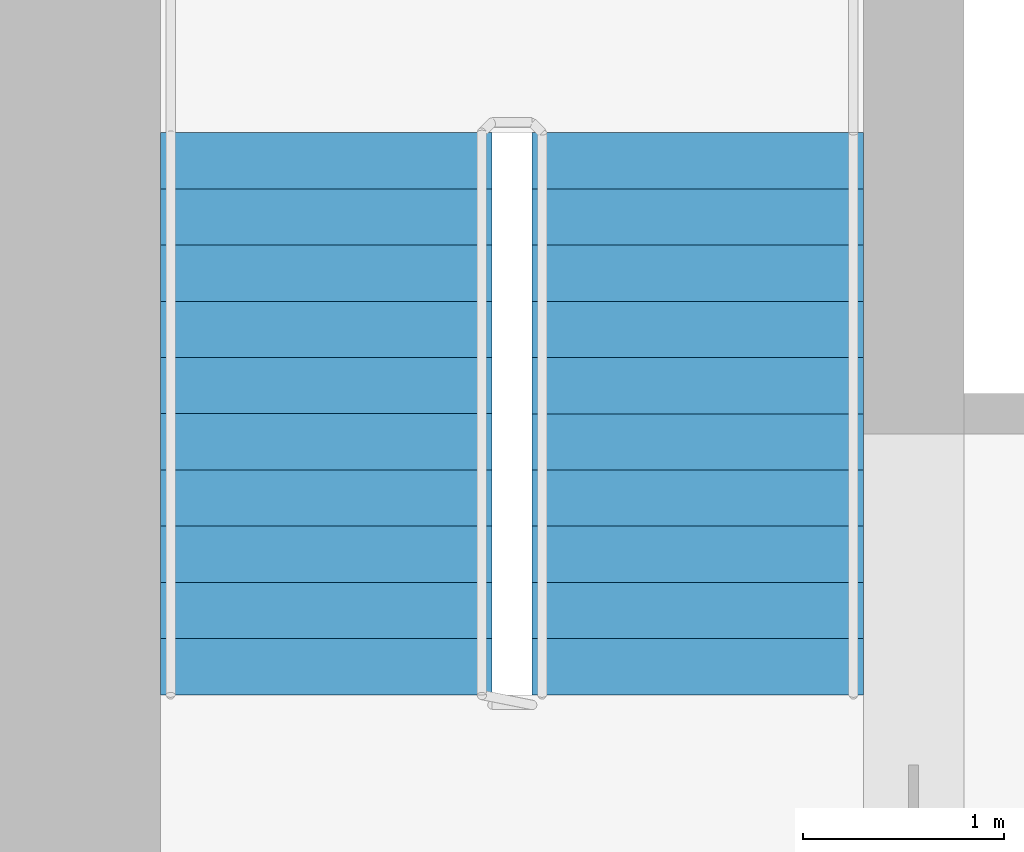
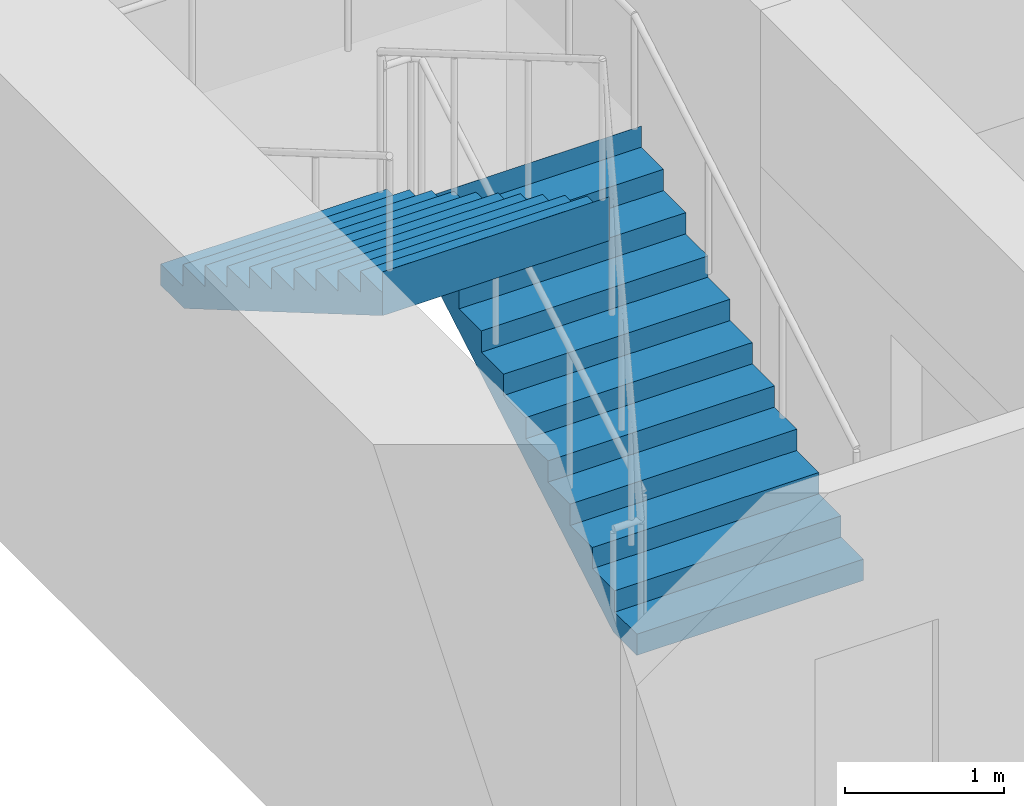
# One storey, part 13 of 14: 2 stair flights, 1 element without a shape of its own.
"""IFC4 building model written with IfcOpenShell, lengths in metres."""

from ifc_helpers import new_model, si_unit, direction, frame, origin, place, context, subcontext, project, spatial, polyline, outline, extrude, material, type_object, element, aggregate, save


model = new_model("IFC4")

# Units and contexts
model_context = context("Model", 3, precision=1e-05, world=origin(), true_north=direction((0.0, 1.0)))
body_context = subcontext(model_context, "Body", "Model", "MODEL_VIEW")
ifc_project = project(units=[si_unit("LENGTHUNIT", "METRE"), si_unit("AREAUNIT", "SQUARE_METRE"), si_unit("VOLUMEUNIT", "CUBIC_METRE"), si_unit("PLANEANGLEUNIT", "RADIAN"), si_unit("MASSUNIT", "GRAM", prefix="KILO")], contexts=[model_context])

# Site, building, storey
site_placement = place(None, origin())
site = spatial("IfcSite", under=ifc_project, at=site_placement, CompositionType="ELEMENT")
building_placement = place(site_placement, origin())
building = spatial("IfcBuilding", under=site, at=building_placement, Name="Tamorin Gate", CompositionType="ELEMENT")
storey_placement = place(building_placement, frame((0.0, 0.0, 93.5)))
storey = spatial("IfcBuildingStorey", under=building, at=storey_placement, Name="L22", CompositionType="ELEMENT", Elevation=93.5)

# Stair, stair flights
ifc_material = material(Name="Concrete C40/50", Category="concrete")
stair_type = type_object("IfcStairType", Name="Exit stair", PredefinedType="HALF_TURN_STAIR", material=ifc_material)
stair_placement = place(storey_placement, origin())
stair = element("IfcStair", 1, at=stair_placement, inside=storey, type_object=stair_type, Name="L22 stair ST2", PredefinedType="HALF_TURN_STAIR")
stair_flight_type = type_object("IfcStairFlightType", Name="Exit stair flight", PredefinedType="STRAIGHT", material=ifc_material)
stair_flight_1_placement = place(storey_placement, frame((33.675048828125, 77.0, 0.0), z_axis=(0.0, 0.0, 1.0), x_axis=(0.0, 1.0, 0.0)))
stair_flight_1 = element("IfcStairFlight", 2, at=stair_flight_1_placement, type_object=stair_flight_type, Name="ST2 flight 1", NumberOfRisers=11, NumberOfTreads=10, PredefinedType="STRAIGHT", RiserHeight=0.163636364, TreadLength=0.28, context=body_context, shape_type="SweptSolid", body=[
    extrude(outline(polyline([(-0.00048828125, 0.0), (-0.00048828125, 0.001708984375), (-0.00048828125, 0.003173828125), (-0.00048828125, 0.0048828125), (-0.00048828125, 0.006591796875), (-0.00048828125, 0.008056640625), (-0.00048828125, 0.009765625), (-0.00048828125, 0.01123046875), (-0.00048828125, 0.012939453125), (-0.00048828125, 0.0146484375), (-0.00048828125, 0.01611328125), (-0.00048828125, 0.017822265625), (-0.00048828125, 0.01953125), (-0.00048828125, 0.02099609375), (-0.00048828125, 0.022705078125), (-0.00048828125, 0.0244140625), (-0.00048828125, 0.02587890625), (-0.00048828125, 0.027587890625), (-0.00048828125, 0.029052734375), (-0.00048828125, 0.03076171875), (-0.00048828125, 0.032470703125), (-0.00048828125, 0.033935546875), (-0.00048828125, 0.03564453125), (-0.00048828125, 0.037353515625), (-0.00048828125, 0.038818359375), (-0.00048828125, 0.04052734375), (-0.00048828125, 0.042236328125), (-0.00048828125, 0.043701171875), (-0.00048828125, 0.04541015625), (-0.00048828125, 0.046875), (-0.00048828125, 0.048583984375), (-0.00048828125, 0.05029296875), (-0.00048828125, 0.0517578125), (-0.00048828125, 0.053466796875), (-0.00048828125, 0.05517578125), (-0.00048828125, 0.056640625), (-0.00048828125, 0.058349609375), (-0.00048828125, 0.06005859375), (-0.00048828125, 0.0615234375), (-0.00048828125, 0.063232421875), (-0.00048828125, 0.064697265625), (-0.00048828125, 0.06640625), (-0.00048828125, 0.068115234375), (-0.00048828125, 0.069580078125), (-0.00048828125, 0.0712890625), (-0.00048828125, 0.072998046875), (-0.00048828125, 0.074462890625), (-0.00048828125, 0.076171875), (-0.00048828125, 0.077880859375), (-0.00048828125, 0.079345703125), (-0.00048828125, 0.0810546875), (-0.00048828125, 0.08251953125), (-0.00048828125, 0.084228515625), (-0.00048828125, 0.0859375), (-0.00048828125, 0.08740234375), (-0.00048828125, 0.089111328125), (-0.00048828125, 0.0908203125), (-0.00048828125, 0.09228515625), (-0.00048828125, 0.093994140625), (-0.00048828125, 0.095703125), (-0.00048828125, 0.09716796875), (-0.00048828125, 0.098876953125), (-0.00048828125, 0.100341796875), (-0.00048828125, 0.10205078125), (-0.00048828125, 0.103759765625), (-0.00048828125, 0.105224609375), (-0.00048828125, 0.10693359375), (-0.00048828125, 0.108642578125), (-0.00048828125, 0.110107421875), (-0.00048828125, 0.11181640625), (-0.00048828125, 0.113525390625), (-0.00048828125, 0.114990234375), (-0.00048828125, 0.11669921875), (-0.00048828125, 0.1181640625), (-0.00048828125, 0.119873046875), (-0.00048828125, 0.12158203125), (-0.00048828125, 0.123046875), (-0.00048828125, 0.124755859375), (-0.00048828125, 0.12646484375), (-0.00048828125, 0.1279296875), (-0.00048828125, 0.129638671875), (-0.00048828125, 0.13134765625), (-0.00048828125, 0.1328125), (-0.00048828125, 0.134521484375), (-0.00048828125, 0.135986328125), (-0.00048828125, 0.1376953125), (-0.00048828125, 0.139404296875), (-0.00048828125, 0.140869140625), (-0.00048828125, 0.142578125), (-0.00048828125, 0.144287109375), (-0.00048828125, 0.145751953125), (-0.00048828125, 0.1474609375), (-0.00048828125, 0.149169921875), (-0.00048828125, 0.150634765625), (-0.00048828125, 0.15234375), (-0.00048828125, 0.15380859375), (-0.00048828125, 0.155517578125), (-0.00048828125, 0.1572265625), (-0.00048828125, 0.15869140625), (-0.00048828125, 0.160400390625), (-0.00048828125, 0.162109375), (-0.00048828125, 0.16357421875), (0.280029296875, 0.16357421875), (0.280029296875, 0.327392578125), (0.56005859375, 0.327392578125), (0.56005859375, 0.490966796875), (0.840087890625, 0.490966796875), (0.840087890625, 0.654541015625), (1.1201171875, 0.654541015625), (1.1201171875, 0.818115234375), (1.39990234375, 0.818115234375), (1.39990234375, 0.98193359375), (1.679931640625, 0.98193359375), (1.679931640625, 1.1455078125), (1.9599609375, 1.1455078125), (1.9599609375, 1.30908203125), (2.239990234375, 1.30908203125), (2.239990234375, 1.47265625), (2.52001953125, 1.47265625), (2.52001953125, 1.636474609375), (2.800048828125, 1.636474609375), (2.800048828125, 1.800048828125), (2.800537109375, 1.800048828125), (2.800537109375, 1.796630859375), (2.800537109375, 1.793212890625), (2.800537109375, 1.7900390625), (2.800537109375, 1.78662109375), (2.800537109375, 1.783203125), (2.800537109375, 1.780029296875), (2.800537109375, 1.776611328125), (2.800537109375, 1.773193359375), (2.800537109375, 1.77001953125), (2.800537109375, 1.7666015625), (2.800537109375, 1.76318359375), (2.800537109375, 1.760009765625), (2.800537109375, 1.756591796875), (2.800537109375, 1.753173828125), (2.800537109375, 1.75), (2.800537109375, 1.74658203125), (2.800537109375, 1.7431640625), (2.800537109375, 1.739990234375), (2.800537109375, 1.736572265625), (2.800537109375, 1.733154296875), (2.800537109375, 1.72998046875), (2.800537109375, 1.7265625), (2.800537109375, 1.72314453125), (2.800537109375, 1.719970703125), (2.800537109375, 1.716552734375), (2.800537109375, 1.713134765625), (2.800537109375, 1.7099609375), (2.800537109375, 1.70654296875), (2.800537109375, 1.703125), (2.800537109375, 1.69970703125), (2.800537109375, 1.696533203125), (2.800537109375, 1.693115234375), (2.800537109375, 1.689697265625), (2.800537109375, 1.6865234375), (2.800537109375, 1.68310546875), (2.800537109375, 1.6796875), (2.800537109375, 1.676513671875), (2.800537109375, 1.673095703125), (2.800537109375, 1.669677734375), (2.800537109375, 1.66650390625), (2.800537109375, 1.6630859375), (2.800537109375, 1.65966796875), (2.800537109375, 1.656494140625), (2.800537109375, 1.653076171875), (2.800537109375, 1.649658203125), (2.800537109375, 1.646484375), (2.800537109375, 1.64306640625), (2.800537109375, 1.6396484375), (2.800537109375, 1.636474609375), (2.800537109375, 1.633056640625), (2.800537109375, 1.629638671875), (2.800537109375, 1.62646484375), (2.800537109375, 1.623046875), (2.800537109375, 1.61962890625), (2.800537109375, 1.616455078125), (2.800537109375, 1.613037109375), (2.800537109375, 1.609619140625), (2.800537109375, 1.6064453125), (2.800537109375, 1.60302734375), (2.800537109375, 1.599609375), (2.800537109375, 1.59619140625), (2.800537109375, 1.593017578125), (2.800537109375, 1.589599609375), (2.800537109375, 1.586181640625), (2.800537109375, 1.5830078125), (2.800537109375, 1.57958984375), (2.800537109375, 1.576171875), (2.800537109375, 1.572998046875), (2.800537109375, 1.569580078125), (2.800537109375, 1.566162109375), (2.800537109375, 1.56298828125), (2.800537109375, 1.5595703125), (2.800537109375, 1.55615234375), (2.800537109375, 1.552978515625), (2.800537109375, 1.549560546875), (2.800537109375, 1.546142578125), (2.800537109375, 1.54296875), (2.800537109375, 1.53955078125), (2.800537109375, 1.5361328125), (2.800537109375, 1.532958984375), (2.800537109375, 1.529541015625), (2.800537109375, 1.526123046875), (2.800537109375, 1.52294921875), (2.800537109375, 1.51953125), (2.800537109375, 1.51611328125), (2.800537109375, 1.512939453125), (2.800537109375, 1.509521484375), (2.800537109375, 1.506103515625), (2.800537109375, 1.5029296875), (2.800537109375, 1.49951171875), (2.800537109375, 1.49609375), (2.800537109375, 1.49267578125), (2.800537109375, 1.489501953125), (2.800537109375, 1.486083984375), (2.800537109375, 1.482666015625), (2.800537109375, 1.4794921875), (2.800537109375, 1.47607421875), (2.800537109375, 1.47265625), (2.800537109375, 1.469482421875), (2.800537109375, 1.466064453125), (2.800537109375, 1.462646484375), (2.800048828125, 1.462646484375), (0.297119140625, 0.0), (-0.00048828125, 0.0)])), frame((0.0, 0.824951171875, 0.0), z_axis=(0.0, -1.0, 0.0), x_axis=(1.0, 0.0, 0.0)), (0.0, 0.0, 1.0), 1.64990234375),
])
stair_flight_2_placement = place(storey_placement, frame((31.824951171875, 79.800048828125, 1.800048828125), z_axis=(0.0, 0.0, 1.0), x_axis=(0.0, -1.0, 0.0)))
stair_flight_2 = element("IfcStairFlight", 3, at=stair_flight_2_placement, type_object=stair_flight_type, Name="ST2 flight 2", NumberOfRisers=11, NumberOfTreads=10, PredefinedType="STRAIGHT", RiserHeight=0.163636364, TreadLength=0.28, context=body_context, shape_type="SweptSolid", body=[
    extrude(outline(polyline([(-0.00048828125, 0.0), (-0.00048828125, 0.001708984375), (-0.00048828125, 0.003173828125), (-0.00048828125, 0.0048828125), (-0.00048828125, 0.006591796875), (-0.00048828125, 0.008056640625), (-0.00048828125, 0.009765625), (-0.00048828125, 0.01123046875), (-0.00048828125, 0.012939453125), (-0.00048828125, 0.0146484375), (-0.00048828125, 0.01611328125), (-0.00048828125, 0.017822265625), (-0.00048828125, 0.01953125), (-0.00048828125, 0.02099609375), (-0.00048828125, 0.022705078125), (-0.00048828125, 0.0244140625), (-0.00048828125, 0.02587890625), (-0.00048828125, 0.027587890625), (-0.00048828125, 0.029052734375), (-0.00048828125, 0.03076171875), (-0.00048828125, 0.032470703125), (-0.00048828125, 0.033935546875), (-0.00048828125, 0.03564453125), (-0.00048828125, 0.037353515625), (-0.00048828125, 0.038818359375), (-0.00048828125, 0.04052734375), (-0.00048828125, 0.042236328125), (-0.00048828125, 0.043701171875), (-0.00048828125, 0.04541015625), (-0.00048828125, 0.046875), (-0.00048828125, 0.048583984375), (-0.00048828125, 0.05029296875), (-0.00048828125, 0.0517578125), (-0.00048828125, 0.053466796875), (-0.00048828125, 0.05517578125), (-0.00048828125, 0.056640625), (-0.00048828125, 0.058349609375), (-0.00048828125, 0.06005859375), (-0.00048828125, 0.0615234375), (-0.00048828125, 0.063232421875), (-0.00048828125, 0.064697265625), (-0.00048828125, 0.06640625), (-0.00048828125, 0.068115234375), (-0.00048828125, 0.069580078125), (-0.00048828125, 0.0712890625), (-0.00048828125, 0.072998046875), (-0.00048828125, 0.074462890625), (-0.00048828125, 0.076171875), (-0.00048828125, 0.077880859375), (-0.00048828125, 0.079345703125), (-0.00048828125, 0.0810546875), (-0.00048828125, 0.08251953125), (-0.00048828125, 0.084228515625), (-0.00048828125, 0.0859375), (-0.00048828125, 0.08740234375), (-0.00048828125, 0.089111328125), (-0.00048828125, 0.0908203125), (-0.00048828125, 0.09228515625), (-0.00048828125, 0.093994140625), (-0.00048828125, 0.095703125), (-0.00048828125, 0.09716796875), (-0.00048828125, 0.098876953125), (-0.00048828125, 0.100341796875), (-0.00048828125, 0.10205078125), (-0.00048828125, 0.103759765625), (-0.00048828125, 0.105224609375), (-0.00048828125, 0.10693359375), (-0.00048828125, 0.108642578125), (-0.00048828125, 0.110107421875), (-0.00048828125, 0.11181640625), (-0.00048828125, 0.113525390625), (-0.00048828125, 0.114990234375), (-0.00048828125, 0.11669921875), (-0.00048828125, 0.1181640625), (-0.00048828125, 0.119873046875), (-0.00048828125, 0.12158203125), (-0.00048828125, 0.123046875), (-0.00048828125, 0.124755859375), (-0.00048828125, 0.12646484375), (-0.00048828125, 0.1279296875), (-0.00048828125, 0.129638671875), (-0.00048828125, 0.13134765625), (-0.00048828125, 0.1328125), (-0.00048828125, 0.134521484375), (-0.00048828125, 0.135986328125), (-0.00048828125, 0.1376953125), (-0.00048828125, 0.139404296875), (-0.00048828125, 0.140869140625), (-0.00048828125, 0.142578125), (-0.00048828125, 0.144287109375), (-0.00048828125, 0.145751953125), (-0.00048828125, 0.1474609375), (-0.00048828125, 0.149169921875), (-0.00048828125, 0.150634765625), (-0.00048828125, 0.15234375), (-0.00048828125, 0.15380859375), (-0.00048828125, 0.155517578125), (-0.00048828125, 0.1572265625), (-0.00048828125, 0.15869140625), (-0.00048828125, 0.160400390625), (-0.00048828125, 0.162109375), (-0.00048828125, 0.16357421875), (0.280029296875, 0.16357421875), (0.280029296875, 0.327392578125), (0.56005859375, 0.327392578125), (0.56005859375, 0.490966796875), (0.840087890625, 0.490966796875), (0.840087890625, 0.654541015625), (1.1201171875, 0.654541015625), (1.1201171875, 0.818115234375), (1.39990234375, 0.818115234375), (1.39990234375, 0.98193359375), (1.679931640625, 0.98193359375), (1.679931640625, 1.1455078125), (1.9599609375, 1.1455078125), (1.9599609375, 1.30908203125), (2.239990234375, 1.30908203125), (2.239990234375, 1.47265625), (2.52001953125, 1.47265625), (2.52001953125, 1.636474609375), (2.800048828125, 1.636474609375), (2.800048828125, 1.800048828125), (2.800537109375, 1.800048828125), (2.800537109375, 1.796630859375), (2.800537109375, 1.793212890625), (2.800537109375, 1.7900390625), (2.800537109375, 1.78662109375), (2.800537109375, 1.783203125), (2.800537109375, 1.780029296875), (2.800537109375, 1.776611328125), (2.800537109375, 1.773193359375), (2.800537109375, 1.77001953125), (2.800537109375, 1.7666015625), (2.800537109375, 1.76318359375), (2.800537109375, 1.760009765625), (2.800537109375, 1.756591796875), (2.800537109375, 1.753173828125), (2.800537109375, 1.75), (2.800537109375, 1.74658203125), (2.800537109375, 1.7431640625), (2.800537109375, 1.739990234375), (2.800537109375, 1.736572265625), (2.800537109375, 1.733154296875), (2.800537109375, 1.72998046875), (2.800537109375, 1.7265625), (2.800537109375, 1.72314453125), (2.800537109375, 1.719970703125), (2.800537109375, 1.716552734375), (2.800537109375, 1.713134765625), (2.800537109375, 1.7099609375), (2.800537109375, 1.70654296875), (2.800537109375, 1.703125), (2.800537109375, 1.69970703125), (2.800537109375, 1.696533203125), (2.800537109375, 1.693115234375), (2.800537109375, 1.689697265625), (2.800537109375, 1.6865234375), (2.800537109375, 1.68310546875), (2.800537109375, 1.6796875), (2.800537109375, 1.676513671875), (2.800537109375, 1.673095703125), (2.800537109375, 1.669677734375), (2.800537109375, 1.66650390625), (2.800537109375, 1.6630859375), (2.800537109375, 1.65966796875), (2.800537109375, 1.656494140625), (2.800537109375, 1.653076171875), (2.800537109375, 1.649658203125), (2.800537109375, 1.646484375), (2.800537109375, 1.64306640625), (2.800537109375, 1.6396484375), (2.800537109375, 1.636474609375), (2.800537109375, 1.633056640625), (2.800537109375, 1.629638671875), (2.800537109375, 1.62646484375), (2.800537109375, 1.623046875), (2.800537109375, 1.61962890625), (2.800537109375, 1.616455078125), (2.800537109375, 1.613037109375), (2.800537109375, 1.609619140625), (2.800537109375, 1.6064453125), (2.800537109375, 1.60302734375), (2.800537109375, 1.599609375), (2.800537109375, 1.59619140625), (2.800537109375, 1.593017578125), (2.800537109375, 1.589599609375), (2.800537109375, 1.586181640625), (2.800537109375, 1.5830078125), (2.800537109375, 1.57958984375), (2.800537109375, 1.576171875), (2.800537109375, 1.572998046875), (2.800537109375, 1.569580078125), (2.800537109375, 1.566162109375), (2.800537109375, 1.56298828125), (2.800537109375, 1.5595703125), (2.800537109375, 1.55615234375), (2.800537109375, 1.552978515625), (2.800537109375, 1.549560546875), (2.800537109375, 1.546142578125), (2.800537109375, 1.54296875), (2.800537109375, 1.53955078125), (2.800537109375, 1.5361328125), (2.800537109375, 1.532958984375), (2.800537109375, 1.529541015625), (2.800537109375, 1.526123046875), (2.800537109375, 1.52294921875), (2.800537109375, 1.51953125), (2.800537109375, 1.51611328125), (2.800537109375, 1.512939453125), (2.800537109375, 1.509521484375), (2.800537109375, 1.506103515625), (2.800537109375, 1.5029296875), (2.800537109375, 1.49951171875), (2.800537109375, 1.49609375), (2.800537109375, 1.49267578125), (2.800537109375, 1.489501953125), (2.800537109375, 1.486083984375), (2.800537109375, 1.482666015625), (2.800537109375, 1.4794921875), (2.800537109375, 1.47607421875), (2.800537109375, 1.47265625), (2.800537109375, 1.469482421875), (2.800537109375, 1.466064453125), (2.800537109375, 1.462646484375), (2.800048828125, 1.462646484375), (0.297119140625, 0.0), (-0.00048828125, 0.0)])), frame((0.0, 0.824951171875, 0.0), z_axis=(0.0, -1.0, 0.0), x_axis=(1.0, 0.0, 0.0)), (0.0, 0.0, 1.0), 1.64990234375),
])
aggregate(stair, [stair_flight_1, stair_flight_2])

save(model, "model.ifc")
